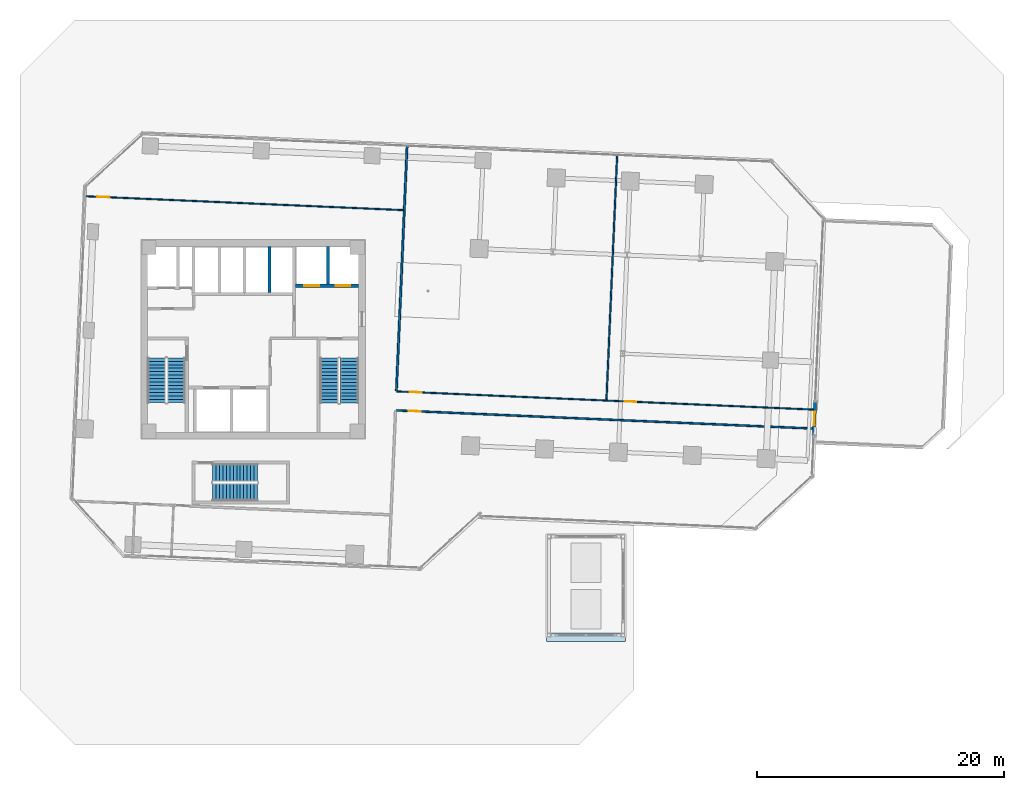
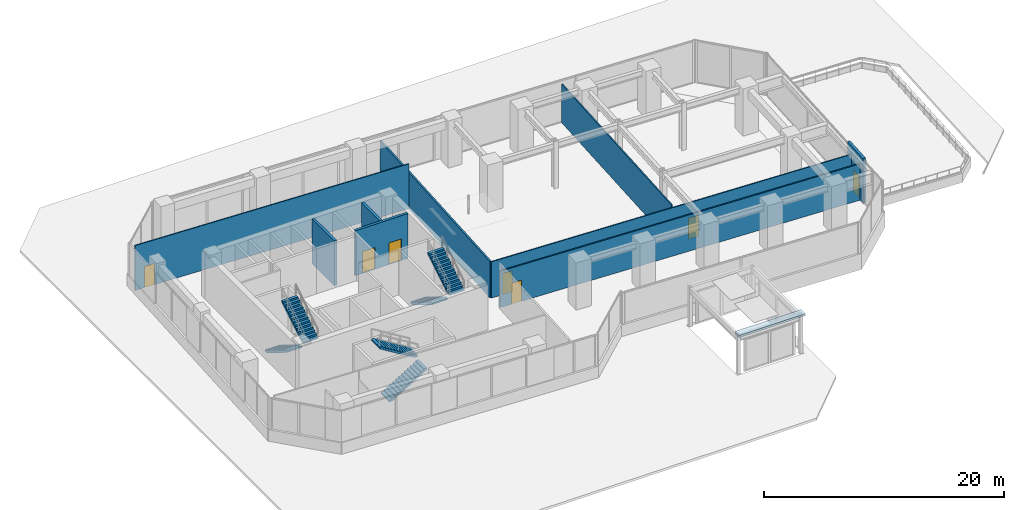
# One storey, part 28 of 33: 9 walls, 7 doors, 6 stair flights, 1 roof, 7 openings, 3 elements without a shape of their own.
"""IFC4 building model written with IfcOpenShell, lengths in metres."""

from ifc_helpers import new_model, si_unit, direction, frame, frame_2d, origin, place, context, subcontext, project, spatial, polyline, rectangle, outline, extrude, source, transform, mapped, material, layer, layer_set, type_object, element, fill, aggregate, save


model = new_model("IFC4")

# Units and contexts
model_context = context("Model", 3, precision=1e-05, world=origin(), true_north=direction((0.0, 1.0)))
body_context = subcontext(model_context, "Body", "Model", "MODEL_VIEW")
ifc_project = project(units=[si_unit("LENGTHUNIT", "METRE"), si_unit("AREAUNIT", "SQUARE_METRE"), si_unit("VOLUMEUNIT", "CUBIC_METRE"), si_unit("PLANEANGLEUNIT", "RADIAN"), si_unit("MASSUNIT", "GRAM", prefix="KILO")], contexts=[model_context])

# Site, building, storey
site_placement = place(None, origin())
site = spatial("IfcSite", under=ifc_project, at=site_placement, CompositionType="ELEMENT")
building_placement = place(site_placement, origin())
building = spatial("IfcBuilding", under=site, at=building_placement, Name="Torre Montelarca", CompositionType="ELEMENT")
storey_placement = place(building_placement, frame((0.0, 0.0, 32.800048828125)))
storey = spatial("IfcBuildingStorey", under=building, at=storey_placement, Name="L07", CompositionType="ELEMENT", Elevation=32.800048828125)

# Wall, openings, doors
ifc_material_1 = material(Name="Concrete C40/50", Category="concrete")
ifc_layer_1 = layer(ifc_material_1, 0.25, Name="Concrete C40/50", Category="concrete")
ifc_layer_set_1 = layer_set([ifc_layer_1], Name="Concrete C40/50")
wall_type_1 = type_object("IfcWallType", Name="CW-SHAFT-250", PredefinedType="SHEAR", material=ifc_layer_set_1)
wall_1_placement = place(storey_placement, frame((21.449951171875, 36.35009765625, 0.0), z_axis=(0.0, 0.0, 1.0), x_axis=(1.0, 0.0, 0.0)))
wall_1 = element("IfcWall", 1, at=wall_1_placement, inside=storey, type_object=wall_type_1, Name="L07 Core Shear Wall SH-FF-S", PredefinedType="SHEAR", context=body_context, shape_type="SweptSolid", body=[
    extrude(rectangle(XDim=5.090087890625, YDim=0.25, at=frame_2d((2.544921875, 0.0))), origin(), (0.0, 0.0, 1.0), 4.56005859375),
])
opening_1_placement = place(wall_1_placement, frame((0.699951171875, 0.0, 0.0)))
opening_1 = element("IfcOpeningElement", 2, at=opening_1_placement, cuts=wall_1, Name="Opening LD-120", PredefinedType="OPENING", context=body_context, shape_type="SweptSolid", body=[
    extrude(rectangle(XDim=1.199951171875, YDim=2.199951171875, at=frame_2d((0.60009765625, 1.10009765625))), frame((0.0, 0.135009765625, 0.0), z_axis=(0.0, -1.0, 0.0), x_axis=(1.0, 0.0, 0.0)), (0.0, 0.0, 1.0), 0.27001953125),
])
opening_2_placement = place(wall_1_placement, frame((3.25, 0.0, 0.0)))
opening_2 = element("IfcOpeningElement", 3, at=opening_2_placement, cuts=wall_1, Name="Opening LD-120", PredefinedType="OPENING", context=body_context, shape_type="SweptSolid", body=[
    extrude(rectangle(XDim=1.199951171875, YDim=2.199951171875, at=frame_2d((0.60009765625, 1.10009765625))), frame((0.0, 0.135009765625, 0.0), z_axis=(0.0, -1.0, 0.0), x_axis=(1.0, 0.0, 0.0)), (0.0, 0.0, 1.0), 0.27001953125),
])
ifc_material_2 = material(Name="Brushed stainless steel AISI 316", Category="steel")
door_type_1 = type_object("IfcDoorType", Name="DR-LIFT-120", OperationType="SLIDING_TO_RIGHT", PredefinedType="DOOR", material=ifc_material_2)
shared_shape_1 = source(origin(), body_context, "Body", "SweptSolid", [
    extrude(rectangle(XDim=1.199951171875, YDim=2.199951171875, at=frame_2d((0.60009765625, 1.10009765625))), frame((0.0, 0.02490234375, 0.0), z_axis=(0.0, -1.0, 0.0), x_axis=(1.0, 0.0, 0.0)), (0.0, 0.0, 1.0), 0.050048828125),
])
door_1_placement = place(opening_1_placement, origin())
door_1 = element("IfcDoor", 4, at=door_1_placement, inside=storey, type_object=door_type_1, Name="L07 Lift Landing Sliding Door FF-1", OperationType="SLIDING_TO_LEFT", OverallHeight=2.199951171875, OverallWidth=1.199951171875, PredefinedType="DOOR", context=body_context, shape_type="MappedRepresentation", body=[
    mapped(shared_shape_1, transform((0.0, 0.0, 0.0), scale=1.0)),
])
fill(opening_1, door_1)
door_2_placement = place(opening_2_placement, origin())
door_2 = element("IfcDoor", 5, at=door_2_placement, inside=storey, type_object=door_type_1, Name="L07 Lift Landing Sliding Door FF-2", OperationType="SLIDING_TO_RIGHT", OverallHeight=2.199951171875, OverallWidth=1.199951171875, PredefinedType="DOOR", context=body_context, shape_type="MappedRepresentation", body=[
    mapped(shared_shape_1, transform((0.0, 0.0, 0.0), scale=1.0)),
])
fill(opening_2, door_2)

# Walls
wall_2_placement = place(storey_placement, frame((24.080078125, 36.47998046875, 0.0), z_axis=(0.0, 0.0, 1.0), x_axis=(0.0, 1.0, 0.0)))
element("IfcWall", 6, at=wall_2_placement, inside=storey, type_object=wall_type_1, Name="L07 Core Shear Wall SH-FF-M", PredefinedType="SHEAR", context=body_context, shape_type="SweptSolid", body=[
    extrude(rectangle(XDim=3.06005859375, YDim=0.25, at=frame_2d((1.530029296875, 0.0))), origin(), (0.0, 0.0, 1.0), 4.56005859375),
])
wall_3_placement = place(storey_placement, frame((19.320068359375, 35.81005859375, 0.0), z_axis=(0.0, 0.0, 1.0), x_axis=(0.0, 1.0, 0.0)))
element("IfcWall", 7, at=wall_3_placement, inside=storey, type_object=wall_type_1, Name="L07 Core Shear Wall SH-PLH-M", PredefinedType="SHEAR", context=body_context, shape_type="SweptSolid", body=[
    extrude(rectangle(XDim=3.72998046875, YDim=0.25, at=frame_2d((1.864990234375, 0.0))), origin(), (0.0, 0.0, 1.0), 4.56005859375),
])

# Wall, opening, door
ifc_material_3 = material(Name="Precast concrete C45/55", Category="concrete")
ifc_layer_2 = layer(ifc_material_3, 0.25, Name="Precast concrete C45/55", Category="concrete")
ifc_layer_set_2 = layer_set([ifc_layer_2], Name="Precast concrete C45/55")
wall_type_2 = type_object("IfcWallType", Name="EW-CONC-250", PredefinedType="SOLIDWALL", material=ifc_layer_set_2)
wall_4_placement = place(storey_placement, frame((63.46875, 24.177734375, 0.0), z_axis=(0.0, 0.0, 1.0), x_axis=(0.04359614401, 0.999049236138, 0.0)))
wall_4 = element("IfcWall", 8, at=wall_4_placement, inside=storey, type_object=wall_type_2, Name="L07 Terrace Portal Wall Pier E06", PredefinedType="SOLIDWALL", context=body_context, shape_type="SweptSolid", body=[
    extrude(rectangle(XDim=2.800048828125, YDim=0.25, at=frame_2d((1.39990234375, 0.0))), origin(), (0.0, 0.0, 1.0), 4.56005859375),
])
opening_3_placement = place(wall_4_placement, frame((0.85009765625, 0.0, 0.0)))
opening_3 = element("IfcOpeningElement", 9, at=opening_3_placement, cuts=wall_4, Name="Opening ED-03", PredefinedType="OPENING", context=body_context, shape_type="SweptSolid", body=[
    extrude(rectangle(XDim=1.10009765625, YDim=2.199951171875, at=frame_2d((0.550048828125, 1.10009765625))), frame((0.0, 0.135009765625, 0.0), z_axis=(0.0, -1.0, 0.0), x_axis=(1.0, 0.0, 0.0)), (0.0, 0.0, 1.0), 0.27001953125),
])
ifc_material_4 = material(Name="Powder-coated galvanized steel and safety glass", Category="steel")
door_type_2 = type_object("IfcDoorType", Name="DR-EXT-TER", OperationType="NOTDEFINED", PredefinedType="DOOR", material=ifc_material_4)
shared_shape_2 = source(origin(), body_context, "Body", "SweptSolid", [
    extrude(rectangle(XDim=1.10009765625, YDim=2.199951171875, at=frame_2d((0.550048828125, 1.10009765625))), frame((0.0, 0.02490234375, 0.0), z_axis=(0.0, -1.0, 0.0), x_axis=(1.0, 0.0, 0.0)), (0.0, 0.0, 1.0), 0.050048828125),
])
door_3_placement = place(opening_3_placement, origin())
door_3 = element("IfcDoor", 10, at=door_3_placement, inside=storey, type_object=door_type_2, Name="L07 Sky Terrace Access Door", OperationType="SINGLE_SWING_LEFT", OverallHeight=2.199951171875, OverallWidth=1.10009765625, PredefinedType="DOOR", context=body_context, shape_type="MappedRepresentation", body=[
    mapped(shared_shape_2, transform((0.0, 0.0, 0.0), scale=1.0)),
])
fill(opening_3, door_3)

# Wall
ifc_material_5 = material(Name="Gypsum plasterboard on steel stud", Category="steel")
ifc_layer_3 = layer(ifc_material_5, 0.159912109375, Name="Gypsum plasterboard on steel stud", Category="steel")
ifc_layer_set_3 = layer_set([ifc_layer_3], Name="Gypsum plasterboard on steel stud")
wall_type_3 = type_object("IfcWallType", Name="PW-FIRE-160", PredefinedType="PARTITIONING", material=ifc_layer_set_3)
wall_5_placement = place(storey_placement, frame((29.62548828125, 27.821533203125, 0.0), z_axis=(0.0, 0.0, 1.0), x_axis=(0.043623060059, 0.999048061222, 0.0)))
element("IfcWall", 11, at=wall_5_placement, inside=storey, type_object=wall_type_3, Name="L07 Interior Partition W-L07-ECN", PredefinedType="PARTITIONING", context=body_context, shape_type="SweptSolid", body=[
    extrude(rectangle(XDim=19.83984375, YDim=0.159912109375, at=frame_2d((9.919921875, 0.0))), origin(), (0.0, 0.0, 1.0), 3.695068359375),
])

# Wall, opening, door
ifc_material_6 = material(Name="Acoustic laminated glass partition", Category="glass")
ifc_layer_4 = layer(ifc_material_6, 0.10009765625, Name="Acoustic laminated glass partition", Category="glass")
ifc_layer_set_4 = layer_set([ifc_layer_4], Name="Acoustic laminated glass partition")
wall_type_4 = type_object("IfcWallType", Name="PW-GLAZ-100", PredefinedType="PARTITIONING", material=ifc_layer_set_4)
wall_6_placement = place(storey_placement, frame((4.469970703125, 43.60400390625, 0.0), z_axis=(0.0, 0.0, 1.0), x_axis=(0.999047795436, -0.04362914662, 0.0)))
wall_6 = element("IfcWall", 12, at=wall_6_placement, inside=storey, type_object=wall_type_4, Name="L07 Interior Partition W-L07-NBOT", PredefinedType="PARTITIONING", context=body_context, shape_type="SweptSolid", body=[
    extrude(rectangle(XDim=25.780029296875, YDim=0.10009765625, at=frame_2d((12.89013671875, 0.0))), origin(), (0.0, 0.0, 1.0), 4.56005859375),
])
opening_4_placement = place(wall_6_placement, frame((0.909912109375, 0.0, 0.0)))
opening_4 = element("IfcOpeningElement", 13, at=opening_4_placement, cuts=wall_6, Name="Opening ID-095", PredefinedType="OPENING", context=body_context, shape_type="SweptSolid", body=[
    extrude(rectangle(XDim=0.949951171875, YDim=2.14990234375, at=frame_2d((0.47509765625, 1.074951171875))), frame((0.0, 0.06005859375, 0.0), z_axis=(0.0, -1.0, 0.0), x_axis=(1.0, 0.0, 0.0)), (0.0, 0.0, 1.0), 0.1201171875),
])
ifc_material_7 = material(Name="Hardwood acoustic timber veneer", Category="wood")
door_type_3 = type_object("IfcDoorType", Name="DR-INT-095", OperationType="NOTDEFINED", PredefinedType="DOOR", material=ifc_material_7)
shared_shape_3 = source(origin(), body_context, "Body", "SweptSolid", [
    extrude(rectangle(XDim=0.949951171875, YDim=2.14990234375, at=frame_2d((0.47509765625, 1.074951171875))), frame((0.0, 0.02490234375, 0.0), z_axis=(0.0, -1.0, 0.0), x_axis=(1.0, 0.0, 0.0)), (0.0, 0.0, 1.0), 0.050048828125),
])
door_4_placement = place(opening_4_placement, origin())
door_4 = element("IfcDoor", 14, at=door_4_placement, inside=storey, type_object=door_type_3, Name="L07 Interior Door 06", OperationType="SINGLE_SWING_LEFT", OverallHeight=2.14990234375, OverallWidth=0.949951171875, PredefinedType="DOOR", context=body_context, shape_type="MappedRepresentation", body=[
    mapped(shared_shape_3, transform((0.0, 0.0, 0.0), scale=1.0)),
])
fill(opening_4, door_4)

# Wall, openings, doors
wall_7_placement = place(storey_placement, frame((29.663818359375, 27.77978515625, 0.0), z_axis=(0.0, 0.0, 1.0), x_axis=(0.999048269666, -0.043618286038, 0.0)))
wall_7 = element("IfcWall", 15, at=wall_7_placement, inside=storey, type_object=wall_type_4, Name="L07 Interior Partition W-L07-NE-S", PredefinedType="PARTITIONING", context=body_context, shape_type="SweptSolid", body=[
    extrude(rectangle(XDim=33.8798828125, YDim=0.10009765625, at=frame_2d((16.93994140625, 0.0))), origin(), (0.0, 0.0, 1.0), 3.695068359375),
])
opening_5_placement = place(wall_7_placement, frame((1.050048828125, 0.0, 0.0)))
opening_5 = element("IfcOpeningElement", 16, at=opening_5_placement, cuts=wall_7, Name="Opening ID-095", PredefinedType="OPENING", context=body_context, shape_type="SweptSolid", body=[
    extrude(rectangle(XDim=0.949951171875, YDim=2.14990234375, at=frame_2d((0.47509765625, 1.074951171875))), frame((0.0, 0.06005859375, 0.0), z_axis=(0.0, -1.0, 0.0), x_axis=(1.0, 0.0, 0.0)), (0.0, 0.0, 1.0), 0.1201171875),
])
opening_6_placement = place(wall_7_placement, frame((18.5, 0.0, 0.0)))
opening_6 = element("IfcOpeningElement", 17, at=opening_6_placement, cuts=wall_7, Name="Opening ID-095", PredefinedType="OPENING", context=body_context, shape_type="SweptSolid", body=[
    extrude(rectangle(XDim=0.949951171875, YDim=2.14990234375, at=frame_2d((0.47509765625, 1.074951171875))), frame((0.0, 0.06005859375, 0.0), z_axis=(0.0, -1.0, 0.0), x_axis=(1.0, 0.0, 0.0)), (0.0, 0.0, 1.0), 0.1201171875),
])
door_5_placement = place(opening_5_placement, origin())
door_5 = element("IfcDoor", 18, at=door_5_placement, inside=storey, type_object=door_type_3, Name="L07 Interior Door 07", OperationType="SINGLE_SWING_LEFT", OverallHeight=2.14990234375, OverallWidth=0.949951171875, PredefinedType="DOOR", context=body_context, shape_type="MappedRepresentation", body=[
    mapped(shared_shape_3, transform((0.0, 0.0, 0.0), scale=1.0)),
])
fill(opening_5, door_5)
door_6_placement = place(opening_6_placement, origin())
door_6 = element("IfcDoor", 19, at=door_6_placement, inside=storey, type_object=door_type_3, Name="L07 Interior Door 08", OperationType="SINGLE_SWING_RIGHT", OverallHeight=2.14990234375, OverallWidth=0.949951171875, PredefinedType="DOOR", context=body_context, shape_type="MappedRepresentation", body=[
    mapped(shared_shape_3, transform((0.0, 0.0, 0.0), scale=1.0)),
])
fill(opening_6, door_6)

# Wall
ifc_layer_5 = layer(ifc_material_5, 0.114990234375, Name="Gypsum plasterboard on steel stud", Category="steel")
ifc_layer_set_5 = layer_set([ifc_layer_5], Name="Gypsum plasterboard on steel stud")
wall_type_5 = type_object("IfcWallType", Name="PW-PART-115", PredefinedType="PARTITIONING", material=ifc_layer_set_5)
wall_8_placement = place(storey_placement, frame((46.6591796875, 27.077880859375, 0.0), z_axis=(0.0, 0.0, 1.0), x_axis=(0.043623060059, 0.999048061222, 0.0)))
element("IfcWall", 20, at=wall_8_placement, inside=storey, type_object=wall_type_5, Name="L07 Interior Partition W-L07-NEDIV-1", PredefinedType="PARTITIONING", context=body_context, shape_type="SweptSolid", body=[
    extrude(rectangle(XDim=19.83984375, YDim=0.114990234375, at=frame_2d((9.919921875, 0.0))), origin(), (0.0, 0.0, 1.0), 3.9228515625),
])

# Wall, opening, door
ifc_layer_6 = layer(ifc_material_5, 0.135009765625, Name="Gypsum plasterboard on steel stud", Category="steel")
ifc_layer_set_6 = layer_set([ifc_layer_6], Name="Gypsum plasterboard on steel stud")
wall_type_6 = type_object("IfcWallType", Name="PW-PART-135", PredefinedType="PARTITIONING", material=ifc_layer_set_6)
wall_9_placement = place(storey_placement, frame((29.5966796875, 26.241455078125, 0.0), z_axis=(0.0, 0.0, 1.0), x_axis=(0.999047941909, -0.043625792456, 0.0)))
wall_9 = element("IfcWall", 21, at=wall_9_placement, inside=storey, type_object=wall_type_6, Name="L07 Interior Partition W-L07-SE-N", PredefinedType="PARTITIONING", context=body_context, shape_type="SweptSolid", body=[
    extrude(rectangle(XDim=33.879638671875, YDim=0.135009765625, at=frame_2d((16.93994140625, 0.0))), origin(), (0.0, 0.0, 1.0), 3.695068359375),
])
opening_7_placement = place(wall_9_placement, frame((1.050048828125, 0.0, 0.0)))
opening_7 = element("IfcOpeningElement", 22, at=opening_7_placement, cuts=wall_9, Name="Opening ID-095", PredefinedType="OPENING", context=body_context, shape_type="SweptSolid", body=[
    extrude(rectangle(XDim=0.949951171875, YDim=2.14990234375, at=frame_2d((0.47509765625, 1.074951171875))), frame((0.0, 0.07763671875, 0.0), z_axis=(0.0, -1.0, 0.0), x_axis=(1.0, 0.0, 0.0)), (0.0, 0.0, 1.0), 0.155029296875),
])
door_7_placement = place(opening_7_placement, origin())
door_7 = element("IfcDoor", 23, at=door_7_placement, inside=storey, type_object=door_type_3, Name="L07 Interior Door 09", OperationType="SINGLE_SWING_LEFT", OverallHeight=2.14990234375, OverallWidth=0.949951171875, PredefinedType="DOOR", context=body_context, shape_type="MappedRepresentation", body=[
    mapped(shared_shape_3, transform((0.0, 0.0, 0.0), scale=1.0)),
])
fill(opening_7, door_7)

# Stair, stair flights
stair_type_1 = type_object("IfcStairType", Name="ST-CORE-ST1", PredefinedType="HALF_TURN_STAIR", material=ifc_material_1)
stair_1_placement = place(storey_placement, origin())
stair_1 = element("IfcStair", 24, at=stair_1_placement, inside=storey, type_object=stair_type_1, Name="L07 Protected Exit Stair ST1", PredefinedType="HALF_TURN_STAIR")
stair_flight_type_1 = type_object("IfcStairFlightType", Name="SFL-CORE-ST1", PredefinedType="STRAIGHT", material=ifc_material_1)
stair_flight_1_placement = place(storey_placement, frame((10.175048828125, 30.5, 0.0), z_axis=(0.0, 0.0, 1.0), x_axis=(0.0, -1.0, 0.0)))
stair_flight_1 = element("IfcStairFlight", 25, at=stair_flight_1_placement, type_object=stair_flight_type_1, Name="ST1 flight 1", NumberOfRisers=14, NumberOfTreads=13, PredefinedType="STRAIGHT", RiserHeight=0.171428571, TreadLength=0.28, context=body_context, shape_type="SweptSolid", body=[
    extrude(outline(polyline([(0.0, 0.0), (0.0, 0.17138671875), (0.280029296875, 0.17138671875), (0.280029296875, 0.3427734375), (0.56005859375, 0.3427734375), (0.56005859375, 0.514404296875), (0.840087890625, 0.514404296875), (0.840087890625, 0.685791015625), (1.1201171875, 0.685791015625), (1.1201171875, 0.857177734375), (1.39990234375, 0.857177734375), (1.39990234375, 1.028564453125), (1.679931640625, 1.028564453125), (1.679931640625, 1.199951171875), (1.9599609375, 1.199951171875), (1.9599609375, 1.371337890625), (2.239990234375, 1.371337890625), (2.239990234375, 1.54296875), (2.52001953125, 1.54296875), (2.52001953125, 1.71435546875), (2.800048828125, 1.71435546875), (2.800048828125, 1.8857421875), (3.080078125, 1.8857421875), (3.080078125, 2.05712890625), (3.360107421875, 2.05712890625), (3.360107421875, 2.228515625), (3.639892578125, 2.228515625), (3.639892578125, 2.39990234375), (3.639892578125, 2.052734375), (0.287109375, 0.0), (0.0, 0.0)])), frame((0.0, 0.72509765625, 0.0), z_axis=(0.0, -1.0, 0.0), x_axis=(1.0, 0.0, 0.0)), (0.0, 0.0, 1.0), 1.449951171875),
])
stair_flight_2_placement = place(storey_placement, frame((11.77490234375, 26.860107421875, 2.39990234375), z_axis=(0.0, 0.0, 1.0), x_axis=(0.0, 1.0, 0.0)))
stair_flight_2 = element("IfcStairFlight", 26, at=stair_flight_2_placement, type_object=stair_flight_type_1, Name="ST1 flight 2", NumberOfRisers=14, NumberOfTreads=13, PredefinedType="STRAIGHT", RiserHeight=0.171428571, TreadLength=0.28, context=body_context, shape_type="SweptSolid", body=[
    extrude(outline(polyline([(0.0, 0.0), (0.0, 0.17138671875), (0.280029296875, 0.17138671875), (0.280029296875, 0.3427734375), (0.56005859375, 0.3427734375), (0.56005859375, 0.514404296875), (0.840087890625, 0.514404296875), (0.840087890625, 0.685791015625), (1.1201171875, 0.685791015625), (1.1201171875, 0.857177734375), (1.39990234375, 0.857177734375), (1.39990234375, 1.028564453125), (1.679931640625, 1.028564453125), (1.679931640625, 1.199951171875), (1.9599609375, 1.199951171875), (1.9599609375, 1.371337890625), (2.239990234375, 1.371337890625), (2.239990234375, 1.54296875), (2.52001953125, 1.54296875), (2.52001953125, 1.71435546875), (2.800048828125, 1.71435546875), (2.800048828125, 1.8857421875), (3.080078125, 1.8857421875), (3.080078125, 2.05712890625), (3.360107421875, 2.05712890625), (3.360107421875, 2.228515625), (3.639892578125, 2.228515625), (3.639892578125, 2.39990234375), (3.639892578125, 2.052734375), (0.287109375, 0.0), (0.0, 0.0)])), frame((0.0, 0.72509765625, 0.0), z_axis=(0.0, -1.0, 0.0), x_axis=(1.0, 0.0, 0.0)), (0.0, 0.0, 1.0), 1.449951171875),
])
aggregate(stair_1, [stair_flight_1, stair_flight_2])

stair_type_2 = type_object("IfcStairType", Name="ST-CORE-ST2", PredefinedType="HALF_TURN_STAIR", material=ifc_material_1)
stair_2_placement = place(storey_placement, origin())
stair_2 = element("IfcStair", 27, at=stair_2_placement, inside=storey, type_object=stair_type_2, Name="L07 Protected Exit Stair ST2", PredefinedType="HALF_TURN_STAIR")
stair_flight_type_2 = type_object("IfcStairFlightType", Name="SFL-CORE-ST2", PredefinedType="STRAIGHT", material=ifc_material_1)
stair_flight_3_placement = place(storey_placement, frame((24.179931640625, 30.469970703125, 0.0), z_axis=(0.0, 0.0, 1.0), x_axis=(0.0, -1.0, 0.0)))
stair_flight_3 = element("IfcStairFlight", 28, at=stair_flight_3_placement, type_object=stair_flight_type_2, Name="ST2 flight 1", NumberOfRisers=14, NumberOfTreads=13, PredefinedType="STRAIGHT", RiserHeight=0.171428571, TreadLength=0.28, context=body_context, shape_type="SweptSolid", body=[
    extrude(outline(polyline([(0.0, 0.0), (0.0, 0.17138671875), (0.280029296875, 0.17138671875), (0.280029296875, 0.3427734375), (0.56005859375, 0.3427734375), (0.56005859375, 0.514404296875), (0.840087890625, 0.514404296875), (0.840087890625, 0.685791015625), (1.1201171875, 0.685791015625), (1.1201171875, 0.857177734375), (1.39990234375, 0.857177734375), (1.39990234375, 1.028564453125), (1.679931640625, 1.028564453125), (1.679931640625, 1.199951171875), (1.9599609375, 1.199951171875), (1.9599609375, 1.371337890625), (2.239990234375, 1.371337890625), (2.239990234375, 1.54296875), (2.52001953125, 1.54296875), (2.52001953125, 1.71435546875), (2.800048828125, 1.71435546875), (2.800048828125, 1.8857421875), (3.080078125, 1.8857421875), (3.080078125, 2.05712890625), (3.360107421875, 2.05712890625), (3.360107421875, 2.228515625), (3.639892578125, 2.228515625), (3.639892578125, 2.39990234375), (3.639892578125, 2.052734375), (0.287109375, 0.0), (0.0, 0.0)])), frame((0.0, 0.739990234375, 0.0), z_axis=(0.0, -1.0, 0.0), x_axis=(1.0, 0.0, 0.0)), (0.0, 0.0, 1.0), 1.47998046875),
])
stair_flight_4_placement = place(storey_placement, frame((25.81005859375, 26.830078125, 2.39990234375), z_axis=(0.0, 0.0, 1.0), x_axis=(0.0, 1.0, 0.0)))
stair_flight_4 = element("IfcStairFlight", 29, at=stair_flight_4_placement, type_object=stair_flight_type_2, Name="ST2 flight 2", NumberOfRisers=14, NumberOfTreads=13, PredefinedType="STRAIGHT", RiserHeight=0.171428571, TreadLength=0.28, context=body_context, shape_type="SweptSolid", body=[
    extrude(outline(polyline([(0.0, 0.0), (0.0, 0.17138671875), (0.280029296875, 0.17138671875), (0.280029296875, 0.3427734375), (0.56005859375, 0.3427734375), (0.56005859375, 0.514404296875), (0.840087890625, 0.514404296875), (0.840087890625, 0.685791015625), (1.1201171875, 0.685791015625), (1.1201171875, 0.857177734375), (1.39990234375, 0.857177734375), (1.39990234375, 1.028564453125), (1.679931640625, 1.028564453125), (1.679931640625, 1.199951171875), (1.9599609375, 1.199951171875), (1.9599609375, 1.371337890625), (2.239990234375, 1.371337890625), (2.239990234375, 1.54296875), (2.52001953125, 1.54296875), (2.52001953125, 1.71435546875), (2.800048828125, 1.71435546875), (2.800048828125, 1.8857421875), (3.080078125, 1.8857421875), (3.080078125, 2.05712890625), (3.360107421875, 2.05712890625), (3.360107421875, 2.228515625), (3.639892578125, 2.228515625), (3.639892578125, 2.39990234375), (3.639892578125, 2.052734375), (0.287109375, 0.0), (0.0, 0.0)])), frame((0.0, 0.739990234375, 0.0), z_axis=(0.0, -1.0, 0.0), x_axis=(1.0, 0.0, 0.0)), (0.0, 0.0, 1.0), 1.47998046875),
])
aggregate(stair_2, [stair_flight_3, stair_flight_4])

stair_type_3 = type_object("IfcStairType", Name="ST-CORE-ST3", PredefinedType="HALF_TURN_STAIR", material=ifc_material_1)
stair_3_placement = place(storey_placement, origin())
stair_3 = element("IfcStair", 30, at=stair_3_placement, inside=storey, type_object=stair_type_3, Name="L07 Low-Rise Exit Stair ST3", PredefinedType="HALF_TURN_STAIR")
stair_flight_type_3 = type_object("IfcStairFlightType", Name="SFL-CORE-ST3", PredefinedType="STRAIGHT", material=ifc_material_1)
stair_flight_5_placement = place(storey_placement, frame((14.719970703125, 19.610107421875, 0.0), z_axis=(0.0, 0.0, 1.0), x_axis=(1.0, 0.0, 0.0)))
stair_flight_5 = element("IfcStairFlight", 31, at=stair_flight_5_placement, type_object=stair_flight_type_3, Name="ST3 flight 1", NumberOfRisers=14, NumberOfTreads=13, PredefinedType="STRAIGHT", RiserHeight=0.171428571, TreadLength=0.28, context=body_context, shape_type="SweptSolid", body=[
    extrude(outline(polyline([(0.0, 0.0), (0.0, 0.17138671875), (0.280029296875, 0.17138671875), (0.280029296875, 0.3427734375), (0.56005859375, 0.3427734375), (0.56005859375, 0.514404296875), (0.840087890625, 0.514404296875), (0.840087890625, 0.685791015625), (1.1201171875, 0.685791015625), (1.1201171875, 0.857177734375), (1.39990234375, 0.857177734375), (1.39990234375, 1.028564453125), (1.679931640625, 1.028564453125), (1.679931640625, 1.199951171875), (1.9599609375, 1.199951171875), (1.9599609375, 1.371337890625), (2.239990234375, 1.371337890625), (2.239990234375, 1.54296875), (2.52001953125, 1.54296875), (2.52001953125, 1.71435546875), (2.800048828125, 1.71435546875), (2.800048828125, 1.8857421875), (3.080078125, 1.8857421875), (3.080078125, 2.05712890625), (3.360107421875, 2.05712890625), (3.360107421875, 2.228515625), (3.639892578125, 2.228515625), (3.639892578125, 2.39990234375), (3.639892578125, 2.052734375), (0.287109375, 0.0), (0.0, 0.0)])), frame((0.0, 0.7099609375, 0.0), z_axis=(0.0, -1.0, 0.0), x_axis=(1.0, 0.0, 0.0)), (0.0, 0.0, 1.0), 1.419921875),
])
stair_flight_6_placement = place(storey_placement, frame((18.360107421875, 21.179931640625, 2.39990234375), z_axis=(0.0, 0.0, 1.0), x_axis=(-1.0, 0.0, 0.0)))
stair_flight_6 = element("IfcStairFlight", 32, at=stair_flight_6_placement, type_object=stair_flight_type_3, Name="ST3 flight 2", NumberOfRisers=14, NumberOfTreads=13, PredefinedType="STRAIGHT", RiserHeight=0.171428571, TreadLength=0.28, context=body_context, shape_type="SweptSolid", body=[
    extrude(outline(polyline([(0.0, 0.0), (0.0, 0.17138671875), (0.280029296875, 0.17138671875), (0.280029296875, 0.3427734375), (0.56005859375, 0.3427734375), (0.56005859375, 0.514404296875), (0.840087890625, 0.514404296875), (0.840087890625, 0.685791015625), (1.1201171875, 0.685791015625), (1.1201171875, 0.857177734375), (1.39990234375, 0.857177734375), (1.39990234375, 1.028564453125), (1.679931640625, 1.028564453125), (1.679931640625, 1.199951171875), (1.9599609375, 1.199951171875), (1.9599609375, 1.371337890625), (2.239990234375, 1.371337890625), (2.239990234375, 1.54296875), (2.52001953125, 1.54296875), (2.52001953125, 1.71435546875), (2.800048828125, 1.71435546875), (2.800048828125, 1.8857421875), (3.080078125, 1.8857421875), (3.080078125, 2.05712890625), (3.360107421875, 2.05712890625), (3.360107421875, 2.228515625), (3.639892578125, 2.228515625), (3.639892578125, 2.39990234375), (3.639892578125, 2.052734375), (0.287109375, 0.0), (0.0, 0.0)])), frame((0.0, 0.7099609375, 0.0), z_axis=(0.0, -1.0, 0.0), x_axis=(1.0, 0.0, 0.0)), (0.0, 0.0, 1.0), 1.419921875),
])
aggregate(stair_3, [stair_flight_5, stair_flight_6])

# Roof
ifc_layer_7 = layer(ifc_material_3, 0.199951171875, Name="Precast concrete C45/55", Category="concrete")
ifc_layer_set_7 = layer_set([ifc_layer_7], Name="Precast concrete C45/55")
roof_type = type_object("IfcRoofType", Name="RF-CANOPY-200", PredefinedType="FLAT_ROOF", material=ifc_layer_set_7)
roof_placement = place(storey_placement, frame((0.0, 0.0, 4.0)))
element("IfcRoof", 33, at=roof_placement, inside=storey, type_object=roof_type, Name="L07 Exchange Trading Hall Atrium Lantern South Eave Roof", PredefinedType="FLAT_ROOF", context=body_context, shape_type="SweptSolid", body=[
    extrude(outline(polyline([(41.800048828125, 7.5), (48.199951171875, 7.5), (48.199951171875, 8.199951171875), (41.800048828125, 8.199951171875), (41.800048828125, 7.5)])), origin(), (0.0, 0.0, 1.0), 0.199951171875),
])

save(model, "model.ifc")
